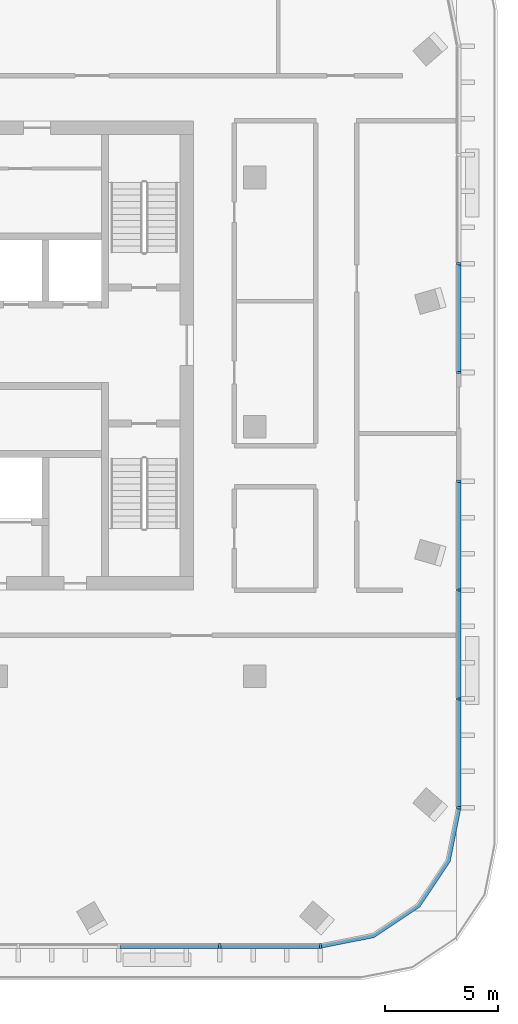
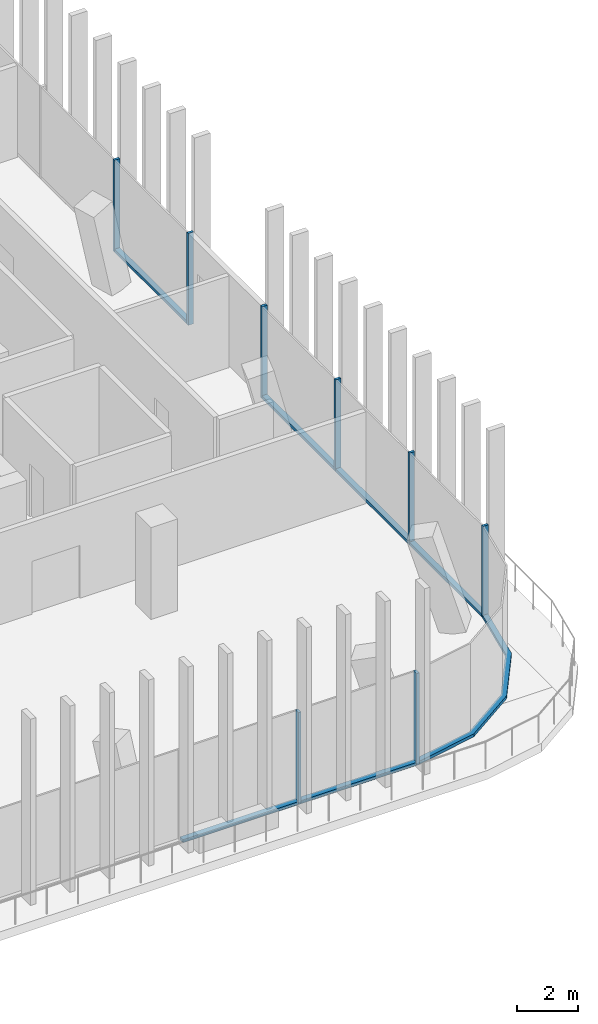
# One storey, part 3 of 15: 15 members, 4 elements without a shape of their own.
"""IFC4 building model written with IfcOpenShell, lengths in metres."""

from ifc_helpers import new_model, si_unit, direction, frame, origin, origin_2d, place, context, subcontext, project, spatial, polyline, rectangle, outline, extrude, material, material_profile, profile_set, type_object, element, aggregate, save


model = new_model("IFC4")

# Units and contexts
model_context = context("Model", 3, precision=1e-05, world=origin(), true_north=direction((0.0, 1.0)))
body_context = subcontext(model_context, "Body", "Model", "MODEL_VIEW")
ifc_project = project(units=[si_unit("LENGTHUNIT", "METRE"), si_unit("AREAUNIT", "SQUARE_METRE"), si_unit("VOLUMEUNIT", "CUBIC_METRE"), si_unit("PLANEANGLEUNIT", "RADIAN"), si_unit("MASSUNIT", "GRAM", prefix="KILO")], contexts=[model_context])

# Site, building, storey
site_placement = place(None, origin())
site = spatial("IfcSite", under=ifc_project, at=site_placement, CompositionType="ELEMENT")
building_placement = place(site_placement, origin())
building = spatial("IfcBuilding", under=site, at=building_placement, Name="Mopane Tessera Tower", CompositionType="ELEMENT")
storey_placement = place(building_placement, frame((0.0, 0.0, 329.39990234375)))
storey = spatial("IfcBuildingStorey", under=building, at=storey_placement, Name="L72", CompositionType="ELEMENT", Elevation=329.39990234375)

# Curtain wall, members
ifc_material_1 = material(Name="Aluminium frame", Category="aluminium")
curtain_wall_type = type_object("IfcCurtainWallType", Name="Unitised curtain wall", PredefinedType="NOTDEFINED", material=ifc_material_1)
curtain_wall_1_placement = place(storey_placement, origin())
curtain_wall_1 = element("IfcCurtainWall", 1, at=curtain_wall_1_placement, inside=storey, type_object=curtain_wall_type, Name="e:cw:L72:S:4", PredefinedType="NOTDEFINED")
ifc_material_2 = material(Name="Aluminium frame", Category="aluminium")
ifc_material_profile_1 = material_profile(ifc_material_2, rectangle(XDim=0.10009765625, YDim=0.199951171875, at=origin_2d()))
ifc_profile_set_1 = profile_set([ifc_material_profile_1], Name="Aluminium frame")
member_type_1 = type_object("IfcMemberType", Name="Aluminium mullion 100 x 200", PredefinedType="MULLION", material=ifc_profile_set_1)
member_1_placement = place(storey_placement, frame((15.5556640625, -22.89990234375, 0.0), z_axis=(0.0, 0.0, 1.0), x_axis=(1.0, 0.0, 0.0)))
member_1 = element("IfcMember", 2, at=member_1_placement, type_object=member_type_1, Name="e:cw:L72:S:4:mu8", PredefinedType="MULLION", context=body_context, shape_type="SweptSolid", body=[
    extrude(rectangle(XDim=0.10009765625, YDim=0.199951171875, at=origin_2d()), origin(), (0.0, 0.0, 1.0), 3.650146484375),
])
member_2_placement = place(storey_placement, frame((20.0, -22.89990234375, 0.0), z_axis=(0.0, 0.0, 1.0), x_axis=(1.0, 0.0, 0.0)))
member_2 = element("IfcMember", 3, at=member_2_placement, type_object=member_type_1, Name="e:cw:L72:S:4:mu9", PredefinedType="MULLION", context=body_context, shape_type="SweptSolid", body=[
    extrude(rectangle(XDim=0.10009765625, YDim=0.199951171875, at=origin_2d()), origin(), (0.0, 0.0, 1.0), 3.650146484375),
])

curtain_wall_2_placement = place(storey_placement, origin())
curtain_wall_2 = element("IfcCurtainWall", 4, at=curtain_wall_2_placement, inside=storey, type_object=curtain_wall_type, Name="e:cw:L72:E:0", PredefinedType="NOTDEFINED")
member_3_placement = place(storey_placement, frame((26.10009765625, -16.800048828125, 0.0), z_axis=(0.0, 0.0, 1.0), x_axis=(0.0, 1.0, 0.0)))
member_3 = element("IfcMember", 5, at=member_3_placement, type_object=member_type_1, Name="e:cw:L72:E:0:mu0", PredefinedType="MULLION", context=body_context, shape_type="SweptSolid", body=[
    extrude(rectangle(XDim=0.10009765625, YDim=0.199951171875, at=origin_2d()), origin(), (0.0, 0.0, 1.0), 3.650146484375),
])
member_4_placement = place(storey_placement, frame((26.10009765625, -12.0, 0.0), z_axis=(0.0, 0.0, 1.0), x_axis=(0.0, 1.0, 0.0)))
member_4 = element("IfcMember", 6, at=member_4_placement, type_object=member_type_1, Name="e:cw:L72:E:0:mu1", PredefinedType="MULLION", context=body_context, shape_type="SweptSolid", body=[
    extrude(rectangle(XDim=0.10009765625, YDim=0.199951171875, at=origin_2d()), origin(), (0.0, 0.0, 1.0), 3.650146484375),
])
member_5_placement = place(storey_placement, frame((26.10009765625, -7.199951171875, 0.0), z_axis=(0.0, 0.0, 1.0), x_axis=(0.0, 1.0, 0.0)))
member_5 = element("IfcMember", 7, at=member_5_placement, type_object=member_type_1, Name="e:cw:L72:E:0:mu2", PredefinedType="MULLION", context=body_context, shape_type="SweptSolid", body=[
    extrude(rectangle(XDim=0.10009765625, YDim=0.199951171875, at=origin_2d()), origin(), (0.0, 0.0, 1.0), 3.650146484375),
])
member_6_placement = place(storey_placement, frame((26.10009765625, -2.39990234375, 0.0), z_axis=(0.0, 0.0, 1.0), x_axis=(0.0, 1.0, 0.0)))
member_6 = element("IfcMember", 8, at=member_6_placement, type_object=member_type_1, Name="e:cw:L72:E:0:mu3", PredefinedType="MULLION", context=body_context, shape_type="SweptSolid", body=[
    extrude(rectangle(XDim=0.10009765625, YDim=0.199951171875, at=origin_2d()), origin(), (0.0, 0.0, 1.0), 3.650146484375),
])

curtain_wall_3_placement = place(storey_placement, origin())
curtain_wall_3 = element("IfcCurtainWall", 9, at=curtain_wall_3_placement, inside=storey, type_object=curtain_wall_type, Name="e:cw:L72:E:4", PredefinedType="NOTDEFINED")
member_7_placement = place(storey_placement, frame((26.10009765625, 2.39990234375, 0.0), z_axis=(0.0, 0.0, 1.0), x_axis=(0.0, 1.0, 0.0)))
member_7 = element("IfcMember", 10, at=member_7_placement, type_object=member_type_1, Name="e:cw:L72:E:4:mu4", PredefinedType="MULLION", context=body_context, shape_type="SweptSolid", body=[
    extrude(rectangle(XDim=0.10009765625, YDim=0.199951171875, at=origin_2d()), origin(), (0.0, 0.0, 1.0), 3.650146484375),
])
member_8_placement = place(storey_placement, frame((26.10009765625, 7.199951171875, 0.0), z_axis=(0.0, 0.0, 1.0), x_axis=(0.0, 1.0, 0.0)))
member_8 = element("IfcMember", 11, at=member_8_placement, type_object=member_type_1, Name="e:cw:L72:E:4:mu5", PredefinedType="MULLION", context=body_context, shape_type="SweptSolid", body=[
    extrude(rectangle(XDim=0.10009765625, YDim=0.199951171875, at=origin_2d()), origin(), (0.0, 0.0, 1.0), 3.650146484375),
])

# Member
ifc_material_3 = material(Name="Aluminium frame", Category="aluminium")
ifc_material_profile_2 = material_profile(ifc_material_3, rectangle(XDim=0.199951171875, YDim=0.1201171875, at=origin_2d()))
ifc_profile_set_2 = profile_set([ifc_material_profile_2], Name="Aluminium frame")
member_type_2 = type_object("IfcMemberType", Name="Aluminium transom 200 x 120", PredefinedType="USERDEFINED", material=ifc_profile_set_2)
member_9_placement = place(storey_placement, frame((11.1611328125, -22.89990234375, 0.06005859375), z_axis=(1.0, 0.0, 0.0), x_axis=(0.0, 1.0, 0.0)))
member_9 = element("IfcMember", 12, at=member_9_placement, type_object=member_type_2, Name="e:cw:L72:S:4:tr7", ObjectType="TRANSOM", PredefinedType="USERDEFINED", context=body_context, shape_type="SweptSolid", body=[
    extrude(rectangle(XDim=0.199951171875, YDim=0.1201171875, at=origin_2d()), origin(), (0.0, 0.0, 1.0), 4.344482421875),
])

member_10_placement = place(storey_placement, frame((15.60546875, -22.89990234375, 0.06005859375), z_axis=(1.0, 0.0, 0.0), x_axis=(0.0, 1.0, 0.0)))
member_10 = element("IfcMember", 13, at=member_10_placement, type_object=member_type_2, Name="e:cw:L72:S:4:tr8", ObjectType="TRANSOM", PredefinedType="USERDEFINED", context=body_context, shape_type="SweptSolid", body=[
    extrude(rectangle(XDim=0.199951171875, YDim=0.1201171875, at=origin_2d()), origin(), (0.0, 0.0, 1.0), 4.344482421875),
])

aggregate(curtain_wall_1, [member_1, member_2, member_9, member_10])

# Curtain wall, member
curtain_wall_4_placement = place(storey_placement, origin())
curtain_wall_4 = element("IfcCurtainWall", 14, at=curtain_wall_4_placement, inside=storey, type_object=curtain_wall_type, Name="e:cw:L72:CS", PredefinedType="NOTDEFINED")
member_11_placement = place(storey_placement, origin())
member_11 = element("IfcMember", 15, at=member_11_placement, type_object=member_type_2, Name="e:cw:L72:CS:tr", ObjectType="TRANSOM", PredefinedType="USERDEFINED", context=body_context, shape_type="SweptSolid", body=[
    extrude(outline(polyline([(20.0, -22.800048828125), (22.296142578125, -22.34326171875), (24.24267578125, -21.042724609375), (25.543212890625, -19.09619140625), (26.0, -16.800048828125), (26.199951171875, -16.800048828125), (25.72802734375, -19.172607421875), (24.384033203125, -21.18408203125), (22.37255859375, -22.528076171875), (20.0, -23.0), (20.0, -22.800048828125)])), origin(), (0.0, 0.0, 1.0), 0.1201171875),
])
aggregate(curtain_wall_4, [member_11])

# Member
member_12_placement = place(storey_placement, frame((26.10009765625, -16.75, 0.06005859375), z_axis=(0.0, 1.0, 0.0), x_axis=(-1.0, 0.0, 0.0)))
member_12 = element("IfcMember", 16, at=member_12_placement, type_object=member_type_2, Name="e:cw:L72:E:0:tr0", ObjectType="TRANSOM", PredefinedType="USERDEFINED", context=body_context, shape_type="SweptSolid", body=[
    extrude(rectangle(XDim=0.199951171875, YDim=0.1201171875, at=origin_2d()), origin(), (0.0, 0.0, 1.0), 4.699951171875),
])

member_13_placement = place(storey_placement, frame((26.10009765625, -11.949951171875, 0.06005859375), z_axis=(0.0, 1.0, 0.0), x_axis=(-1.0, 0.0, 0.0)))
member_13 = element("IfcMember", 17, at=member_13_placement, type_object=member_type_2, Name="e:cw:L72:E:0:tr1", ObjectType="TRANSOM", PredefinedType="USERDEFINED", context=body_context, shape_type="SweptSolid", body=[
    extrude(rectangle(XDim=0.199951171875, YDim=0.1201171875, at=origin_2d()), origin(), (0.0, 0.0, 1.0), 4.699951171875),
])

member_14_placement = place(storey_placement, frame((26.10009765625, -7.14990234375, 0.06005859375), z_axis=(0.0, 1.0, 0.0), x_axis=(-1.0, 0.0, 0.0)))
member_14 = element("IfcMember", 18, at=member_14_placement, type_object=member_type_2, Name="e:cw:L72:E:0:tr2", ObjectType="TRANSOM", PredefinedType="USERDEFINED", context=body_context, shape_type="SweptSolid", body=[
    extrude(rectangle(XDim=0.199951171875, YDim=0.1201171875, at=origin_2d()), origin(), (0.0, 0.0, 1.0), 4.699951171875),
])

aggregate(curtain_wall_2, [member_3, member_4, member_5, member_6, member_12, member_13, member_14])

member_15_placement = place(storey_placement, frame((26.10009765625, 2.449951171875, 0.06005859375), z_axis=(0.0, 1.0, 0.0), x_axis=(-1.0, 0.0, 0.0)))
member_15 = element("IfcMember", 19, at=member_15_placement, type_object=member_type_2, Name="e:cw:L72:E:4:tr4", ObjectType="TRANSOM", PredefinedType="USERDEFINED", context=body_context, shape_type="SweptSolid", body=[
    extrude(rectangle(XDim=0.199951171875, YDim=0.1201171875, at=origin_2d()), origin(), (0.0, 0.0, 1.0), 4.699951171875),
])

aggregate(curtain_wall_3, [member_7, member_8, member_15])

save(model, "model.ifc")
